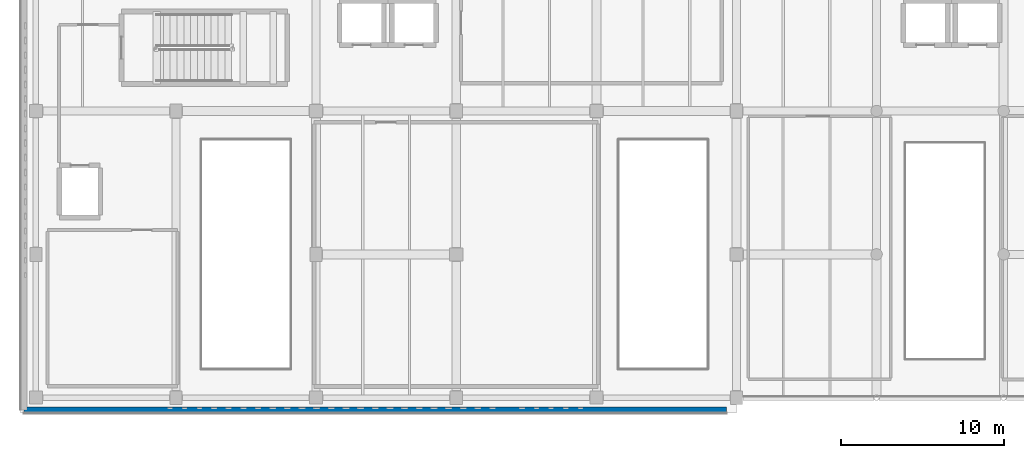
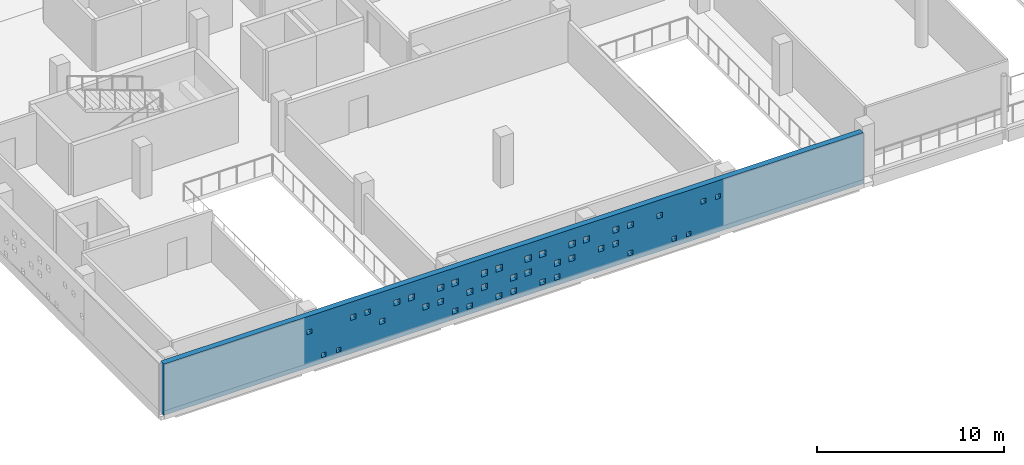
# One storey, part 54 of 75: 1 wall, 40 openings.
"""IFC4 building model written with IfcOpenShell, lengths in metres."""

import ifcopenshell
import ifcopenshell.guid

model = None  # the IFC model being written
_history = None  # IfcOwnerHistory: only IFC2X3 demands one
_inside = {}  # id of a spatial element -> (the spatial element, [elements in it])
_under = {}  # id of a project, library or spatial element -> (it, [spatial elements below it])
_declared = {}  # id of a project -> (the project, [libraries it declares])
_typed = {}  # id of a type object -> (the type object, [elements of that type])
_made_of = {}  # id of a material, layer set ... -> (it, [elements and type objects made of it])


def new_model(schema):
    """Start an empty IFC model of exactly this schema.

    Asked for "IFC4X3", IfcOpenShell would pick the latest addendum, in which some entities
    have other attributes; the version numbers below select the first issue.
    IFC2X3 requires an IfcOwnerHistory on every rooted entity: one is made here for all.
    """
    global model, _history
    if schema == "IFC4X3":
        model = ifcopenshell.file(schema_version=(4, 3, 0, 0))
    else:
        model = ifcopenshell.file(schema=schema)
    _inside.clear()
    _under.clear()
    _declared.clear()
    _typed.clear()
    _made_of.clear()
    _history = None
    if model.schema == "IFC2X3":
        org = make("IfcOrganization", Name="unknown")
        user = make(
            "IfcPersonAndOrganization",
            ThePerson=make("IfcPerson", FamilyName="unknown"),
            TheOrganization=org,
        )
        app = make(
            "IfcApplication",
            ApplicationDeveloper=org,
            Version="unknown",
            ApplicationFullName="unknown",
            ApplicationIdentifier="unknown",
        )
        _history = make(
            "IfcOwnerHistory",
            OwningUser=user,
            OwningApplication=app,
            ChangeAction="ADDED",
            CreationDate=0,
        )
    return model


def make(cls, **values):
    """One entity of the class cls with the attributes given. An attribute that is None is left unset."""
    return model.create_entity(
        cls, **{name: value for name, value in values.items() if value is not None}
    )


def rooted(cls, **values):
    """An entity with a GlobalId (a new one), such as an element, a storey or a relation."""
    return make(cls, GlobalId=ifcopenshell.guid.new(), OwnerHistory=_history, **values)


def si_unit(unit_type, name, prefix=None):
    """IfcSIUnit, for example si_unit("LENGTHUNIT", "METRE", prefix="MILLI")."""
    return make("IfcSIUnit", UnitType=unit_type, Prefix=prefix, Name=name)


def assignment(units):
    """IfcUnitAssignment: the units of a project."""
    return None if units is None else make("IfcUnitAssignment", Units=units)


def point(xyz):
    """IfcCartesianPoint."""
    return None if xyz is None else make("IfcCartesianPoint", Coordinates=xyz)


def direction(xyz):
    """IfcDirection."""
    return None if xyz is None else make("IfcDirection", DirectionRatios=xyz)


def frame(location, z_axis=None, x_axis=None):
    """IfcAxis2Placement3D, a coordinate frame: its origin and axes. An axis left out is left unset."""
    return make(
        "IfcAxis2Placement3D",
        Location=point(location),
        Axis=direction(z_axis),
        RefDirection=direction(x_axis),
    )


def frame_2d(location, x_axis=None):
    """IfcAxis2Placement2D, a coordinate frame in the plane: its origin and x axis."""
    return make(
        "IfcAxis2Placement2D", Location=point(location), RefDirection=direction(x_axis)
    )


def origin():
    """The frame at (0, 0, 0) with its axes left unset."""
    return frame((0.0, 0.0, 0.0))


def place(relative_to, where):
    """IfcLocalPlacement: puts the frame where relative to a parent placement (None: the world)."""
    return make(
        "IfcLocalPlacement", PlacementRelTo=relative_to, RelativePlacement=where
    )


def context(
    kind, dimensions, precision=None, world=None, true_north=None, identifier=None
):
    """IfcGeometricRepresentationContext, for example the 3D "Model" context."""
    return make(
        "IfcGeometricRepresentationContext",
        ContextIdentifier=identifier,
        ContextType=kind,
        CoordinateSpaceDimension=dimensions,
        Precision=precision,
        WorldCoordinateSystem=world,
        TrueNorth=true_north,
    )


def subcontext(parent, identifier, kind, view, scale=None):
    """IfcGeometricRepresentationSubContext, for example "Body" below "Model"."""
    return make(
        "IfcGeometricRepresentationSubContext",
        ContextIdentifier=identifier,
        ContextType=kind,
        ParentContext=parent,
        TargetScale=scale,
        TargetView=view,
    )


def project(units=None, contexts=None):
    """IfcProject with its units and contexts."""
    return rooted(
        "IfcProject",
        Name="project",
        RepresentationContexts=contexts,
        UnitsInContext=assignment(units),
    )


def spatial(cls, under=None, at=None, **own):
    """A site, building, storey or space (cls), placed at a placement, below another one or the project."""
    s = rooted(cls, ObjectPlacement=at, **own)
    if under is not None:
        _under.setdefault(under.id(), (under, []))[1].append(s)
    return s


def profile(cls, at=None, kind="AREA", **sizes):
    """A parametric profile (cls). Its sizes go by their IFC names, for example OverallWidth=200.0."""
    return make(cls, ProfileType=kind, Position=at, **sizes)


def rectangle(**sizes):
    """IfcRectangleProfileDef."""
    return profile("IfcRectangleProfileDef", **sizes)


def extrude(swept, where, along, depth):
    """IfcExtrudedAreaSolid: the profile swept, set in the frame where, extruded along a direction by depth."""
    return make(
        "IfcExtrudedAreaSolid",
        SweptArea=swept,
        Position=where,
        ExtrudedDirection=direction(along),
        Depth=depth,
    )


def shape(context_of_items, identifier, shape_type, items):
    """IfcShapeRepresentation: the items that make up one representation, for example the "Body"."""
    return make(
        "IfcShapeRepresentation",
        ContextOfItems=context_of_items,
        RepresentationIdentifier=identifier,
        RepresentationType=shape_type,
        Items=items,
    )


def material(Name=None, Category=None):
    """IfcMaterial."""
    return make("IfcMaterial", Name=Name, Category=Category)


def layer(
    of_material, thickness, ventilated=None, Name=None, Category=None, Priority=None
):
    """IfcMaterialLayer: one layer of a wall or slab, of a material (None: an air gap)."""
    return make(
        "IfcMaterialLayer",
        Material=of_material,
        LayerThickness=thickness,
        IsVentilated=ventilated,
        Name=Name,
        Category=Category,
        Priority=Priority,
    )


def layer_set(layers, Name=None):
    """IfcMaterialLayerSet."""
    return make("IfcMaterialLayerSet", MaterialLayers=layers, LayerSetName=Name)


def made_of(thing, what):
    """Note that an element or type object is made of a material, layer set ...; save() writes the relation."""
    if what is not None:
        _made_of.setdefault(what.id(), (what, []))[1].append(thing)
    return thing


def type_object(cls, material=None, **own):
    """A type object (cls), such as IfcWallType, which elements share."""
    return made_of(rooted(cls, **own), material)


def element(
    cls,
    number,
    at=None,
    inside=None,
    cuts=None,
    type_object=None,
    material=None,
    context=None,
    identifier="Body",
    shape_type=None,
    held_by="IfcProductDefinitionShape",
    body=None,
    shapes=None,
    **own,
):
    """One element of the class cls, such as IfcWall. Its Tag is "e" and its number.

    at: its placement. inside: the storey or other place that contains it. cuts: it is an
    opening in that element (IfcRelVoidsElement). A single representation is given by context,
    identifier, shape_type and body (its items); several are given by shapes. held_by: the class
    of the entity that holds the representations. save() writes the other relations.
    """
    e = rooted(cls, Tag="e%d" % number, ObjectPlacement=at, **own)
    if body is not None:
        shapes = [shape(context, identifier, shape_type, body)]
    if shapes is not None:
        e.Representation = make(held_by, Representations=shapes)
    if inside is not None:
        _inside.setdefault(inside.id(), (inside, []))[1].append(e)
    if cuts is not None:
        rooted(
            "IfcRelVoidsElement", RelatingBuildingElement=cuts, RelatedOpeningElement=e
        )
    if type_object is not None:
        _typed.setdefault(type_object.id(), (type_object, []))[1].append(e)
    return made_of(e, material)


def aggregate(whole, parts):
    """IfcRelAggregates: a whole, such as a stair, and the parts it consists of."""
    return rooted("IfcRelAggregates", RelatingObject=whole, RelatedObjects=parts)


def save(model, path):
    """Write the relations noted so far, then the file.

    IfcRelAggregates (storeys below a building ...), IfcRelContainedInSpatialStructure (elements
    in a storey), IfcRelDefinesByType, IfcRelAssociatesMaterial and IfcRelDeclares: one each for
    every whole, place, type object, material and project.
    """
    for whole, parts in _under.values():
        aggregate(whole, parts)
    for where, things in _inside.values():
        rooted(
            "IfcRelContainedInSpatialStructure",
            RelatedElements=things,
            RelatingStructure=where,
        )
    for kind, things in _typed.values():
        rooted("IfcRelDefinesByType", RelatedObjects=things, RelatingType=kind)
    for what, things in _made_of.values():
        rooted("IfcRelAssociatesMaterial", RelatedObjects=things, RelatingMaterial=what)
    for by, libraries in _declared.values():
        rooted("IfcRelDeclares", RelatingContext=by, RelatedDefinitions=libraries)
    model.write(path)


model = new_model("IFC4")

# Units and contexts
model_context = context("Model", 3, precision=1e-05, world=origin(), true_north=direction((0.0, 1.0)))
body_context = subcontext(model_context, "Body", "Model", "MODEL_VIEW")
ifc_project = project(units=[si_unit("LENGTHUNIT", "METRE"), si_unit("AREAUNIT", "SQUARE_METRE"), si_unit("VOLUMEUNIT", "CUBIC_METRE"), si_unit("PLANEANGLEUNIT", "RADIAN"), si_unit("MASSUNIT", "GRAM", prefix="KILO")], contexts=[model_context])

# Site, building, storey
site_placement = place(None, origin())
site = spatial("IfcSite", under=ifc_project, at=site_placement, CompositionType="ELEMENT")
building_placement = place(site_placement, origin())
building = spatial("IfcBuilding", under=site, at=building_placement, Name="Varnakota Cinema and Media Centre", CompositionType="ELEMENT")
storey_placement = place(building_placement, frame((0.0, 0.0, 8.39990234375)))
storey = spatial("IfcBuildingStorey", under=building, at=storey_placement, Name="L02", CompositionType="ELEMENT", Elevation=8.39990234375)

# Wall, openings
ifc_material = material(Name="Pale Tandur limestone cladding", Category="masonry")
ifc_layer = layer(ifc_material, 0.360107421875)
ifc_layer_set = layer_set([ifc_layer], Name="Pale Tandur limestone cladding")
wall_type = type_object("IfcWallType", Name="W-EXT-TANDUR-360", PredefinedType="SOLIDWALL", material=ifc_layer_set)
wall_placement = place(storey_placement, frame((42.39990234375, -0.739990234375, 0.0), z_axis=(0.0, 0.0, 1.0), x_axis=(-1.0, 0.0, 0.0)))
wall = element("IfcWall", 1, at=wall_placement, inside=storey, type_object=wall_type, Name="L02 V4 pale Tandur stone monolith wall V4-S", PredefinedType="SOLIDWALL", context=body_context, shape_type="SweptSolid", body=[
    extrude(rectangle(XDim=43.139892578125, YDim=0.360107421875, at=frame_2d((21.56982421875, 0.0))), origin(), (0.0, 0.0, 1.0), 3.340087890625),
])
opening_1_placement = place(wall_placement, frame((8.820068359375, 0.0, 2.159912109375)))
element("IfcOpeningElement", 2, at=opening_1_placement, cuts=wall, Name="Opening WP14", PredefinedType="OPENING", context=body_context, shape_type="SweptSolid", body=[
    extrude(rectangle(XDim=0.300048828125, YDim=0.300048828125, at=frame_2d((0.14990234375, 0.14990234375))), frame((0.0, 0.18017578125, 0.0), z_axis=(0.0, -1.0, 0.0), x_axis=(1.0, 0.0, 0.0)), (0.0, 0.0, 1.0), 0.360107421875),
])
opening_2_placement = place(wall_placement, frame((9.7099609375, 0.0, 2.159912109375)))
element("IfcOpeningElement", 3, at=opening_2_placement, cuts=wall, Name="Opening WP13", PredefinedType="OPENING", context=body_context, shape_type="SweptSolid", body=[
    extrude(rectangle(XDim=0.320068359375, YDim=0.320068359375, at=frame_2d((0.16015625, 0.16015625))), frame((0.0, 0.18017578125, 0.0), z_axis=(0.0, -1.0, 0.0), x_axis=(1.0, 0.0, 0.0)), (0.0, 0.0, 1.0), 0.360107421875),
])
opening_3_placement = place(wall_placement, frame((10.6298828125, 0.0, 0.360107421875)))
element("IfcOpeningElement", 4, at=opening_3_placement, cuts=wall, Name="Opening WP15", PredefinedType="OPENING", context=body_context, shape_type="SweptSolid", body=[
    extrude(rectangle(XDim=0.280029296875, YDim=0.280029296875, at=frame_2d((0.14013671875, 0.14013671875))), frame((0.0, 0.18017578125, 0.0), z_axis=(0.0, -1.0, 0.0), x_axis=(1.0, 0.0, 0.0)), (0.0, 0.0, 1.0), 0.360107421875),
])
opening_4_placement = place(wall_placement, frame((11.52001953125, 0.0, 0.360107421875)))
element("IfcOpeningElement", 5, at=opening_4_placement, cuts=wall, Name="Opening WP14", PredefinedType="OPENING", context=body_context, shape_type="SweptSolid", body=[
    extrude(rectangle(XDim=0.300048828125, YDim=0.300048828125, at=frame_2d((0.14990234375, 0.14990234375))), frame((0.0, 0.18017578125, 0.0), z_axis=(0.0, -1.0, 0.0), x_axis=(1.0, 0.0, 0.0)), (0.0, 0.0, 1.0), 0.360107421875),
])
opening_5_placement = place(wall_placement, frame((12.39990234375, 0.0, 2.159912109375)))
element("IfcOpeningElement", 6, at=opening_5_placement, cuts=wall, Name="Opening WP12", PredefinedType="OPENING", context=body_context, shape_type="SweptSolid", body=[
    extrude(rectangle(XDim=0.340087890625, YDim=0.340087890625, at=frame_2d((0.169921875, 0.169921875))), frame((0.0, 0.18017578125, 0.0), z_axis=(0.0, -1.0, 0.0), x_axis=(1.0, 0.0, 0.0)), (0.0, 0.0, 1.0), 0.360107421875),
])
opening_6_placement = place(wall_placement, frame((14.2099609375, 0.0, 0.360107421875)))
element("IfcOpeningElement", 7, at=opening_6_placement, cuts=wall, Name="Opening WP13", PredefinedType="OPENING", context=body_context, shape_type="SweptSolid", body=[
    extrude(rectangle(XDim=0.320068359375, YDim=0.320068359375, at=frame_2d((0.16015625, 0.16015625))), frame((0.0, 0.18017578125, 0.0), z_axis=(0.0, -1.0, 0.0), x_axis=(1.0, 0.0, 0.0)), (0.0, 0.0, 1.0), 0.360107421875),
])
opening_7_placement = place(wall_placement, frame((14.18994140625, 0.0, 2.159912109375)))
element("IfcOpeningElement", 8, at=opening_7_placement, cuts=wall, Name="Opening WP11", PredefinedType="OPENING", context=body_context, shape_type="SweptSolid", body=[
    extrude(rectangle(XDim=0.360107421875, YDim=0.360107421875, at=frame_2d((0.18017578125, 0.18017578125))), frame((0.0, 0.18017578125, 0.0), z_axis=(0.0, -1.0, 0.0), x_axis=(1.0, 0.0, 0.0)), (0.0, 0.0, 1.0), 0.360107421875),
])
opening_8_placement = place(wall_placement, frame((15.090087890625, 0.0, 1.260009765625)))
element("IfcOpeningElement", 9, at=opening_8_placement, cuts=wall, Name="Opening WP11", PredefinedType="OPENING", context=body_context, shape_type="SweptSolid", body=[
    extrude(rectangle(XDim=0.360107421875, YDim=0.360107421875, at=frame_2d((0.18017578125, 0.18017578125))), frame((0.0, 0.18017578125, 0.0), z_axis=(0.0, -1.0, 0.0), x_axis=(1.0, 0.0, 0.0)), (0.0, 0.0, 1.0), 0.360107421875),
])
opening_9_placement = place(wall_placement, frame((15.080078125, 0.0, 2.159912109375)))
element("IfcOpeningElement", 10, at=opening_9_placement, cuts=wall, Name="Opening WP10", PredefinedType="OPENING", context=body_context, shape_type="SweptSolid", body=[
    extrude(rectangle(XDim=0.3798828125, YDim=0.3798828125, at=frame_2d((0.18994140625, 0.18994140625))), frame((0.0, 0.18017578125, 0.0), z_axis=(0.0, -1.0, 0.0), x_axis=(1.0, 0.0, 0.0)), (0.0, 0.0, 1.0), 0.360107421875),
])
opening_10_placement = place(wall_placement, frame((15.989990234375, 0.0, 1.260009765625)))
element("IfcOpeningElement", 11, at=opening_10_placement, cuts=wall, Name="Opening WP11", PredefinedType="OPENING", context=body_context, shape_type="SweptSolid", body=[
    extrude(rectangle(XDim=0.360107421875, YDim=0.360107421875, at=frame_2d((0.18017578125, 0.18017578125))), frame((0.0, 0.18017578125, 0.0), z_axis=(0.0, -1.0, 0.0), x_axis=(1.0, 0.0, 0.0)), (0.0, 0.0, 1.0), 0.360107421875),
])
opening_11_placement = place(wall_placement, frame((16.8798828125, 0.0, 2.159912109375)))
element("IfcOpeningElement", 12, at=opening_11_placement, cuts=wall, Name="Opening WP10", PredefinedType="OPENING", context=body_context, shape_type="SweptSolid", body=[
    extrude(rectangle(XDim=0.3798828125, YDim=0.3798828125, at=frame_2d((0.18994140625, 0.18994140625))), frame((0.0, 0.18017578125, 0.0), z_axis=(0.0, -1.0, 0.0), x_axis=(1.0, 0.0, 0.0)), (0.0, 0.0, 1.0), 0.360107421875),
])
opening_12_placement = place(wall_placement, frame((17.7900390625, 0.0, 1.260009765625)))
element("IfcOpeningElement", 13, at=opening_12_placement, cuts=wall, Name="Opening WP11", PredefinedType="OPENING", context=body_context, shape_type="SweptSolid", body=[
    extrude(rectangle(XDim=0.360107421875, YDim=0.360107421875, at=frame_2d((0.18017578125, 0.18017578125))), frame((0.0, 0.18017578125, 0.0), z_axis=(0.0, -1.0, 0.0), x_axis=(1.0, 0.0, 0.0)), (0.0, 0.0, 1.0), 0.360107421875),
])
opening_13_placement = place(wall_placement, frame((17.77001953125, 0.0, 2.159912109375)))
element("IfcOpeningElement", 14, at=opening_13_placement, cuts=wall, Name="Opening WP09", PredefinedType="OPENING", context=body_context, shape_type="SweptSolid", body=[
    extrude(rectangle(XDim=0.39990234375, YDim=0.39990234375, at=frame_2d((0.199951171875, 0.199951171875))), frame((0.0, 0.18017578125, 0.0), z_axis=(0.0, -1.0, 0.0), x_axis=(1.0, 0.0, 0.0)), (0.0, 0.0, 1.0), 0.360107421875),
])
opening_14_placement = place(wall_placement, frame((18.699951171875, 0.0, 0.360107421875)))
element("IfcOpeningElement", 15, at=opening_14_placement, cuts=wall, Name="Opening WP12", PredefinedType="OPENING", context=body_context, shape_type="SweptSolid", body=[
    extrude(rectangle(XDim=0.340087890625, YDim=0.340087890625, at=frame_2d((0.169921875, 0.169921875))), frame((0.0, 0.18017578125, 0.0), z_axis=(0.0, -1.0, 0.0), x_axis=(1.0, 0.0, 0.0)), (0.0, 0.0, 1.0), 0.360107421875),
])
opening_15_placement = place(wall_placement, frame((18.679931640625, 0.0, 1.260009765625)))
element("IfcOpeningElement", 16, at=opening_15_placement, cuts=wall, Name="Opening WP10", PredefinedType="OPENING", context=body_context, shape_type="SweptSolid", body=[
    extrude(rectangle(XDim=0.3798828125, YDim=0.3798828125, at=frame_2d((0.18994140625, 0.18994140625))), frame((0.0, 0.18017578125, 0.0), z_axis=(0.0, -1.0, 0.0), x_axis=(1.0, 0.0, 0.0)), (0.0, 0.0, 1.0), 0.360107421875),
])
opening_16_placement = place(wall_placement, frame((19.60009765625, 0.0, 0.360107421875)))
element("IfcOpeningElement", 17, at=opening_16_placement, cuts=wall, Name="Opening WP12", PredefinedType="OPENING", context=body_context, shape_type="SweptSolid", body=[
    extrude(rectangle(XDim=0.340087890625, YDim=0.340087890625, at=frame_2d((0.169921875, 0.169921875))), frame((0.0, 0.18017578125, 0.0), z_axis=(0.0, -1.0, 0.0), x_axis=(1.0, 0.0, 0.0)), (0.0, 0.0, 1.0), 0.360107421875),
])
opening_17_placement = place(wall_placement, frame((19.570068359375, 0.0, 2.159912109375)))
element("IfcOpeningElement", 18, at=opening_17_placement, cuts=wall, Name="Opening WP09", PredefinedType="OPENING", context=body_context, shape_type="SweptSolid", body=[
    extrude(rectangle(XDim=0.39990234375, YDim=0.39990234375, at=frame_2d((0.199951171875, 0.199951171875))), frame((0.0, 0.18017578125, 0.0), z_axis=(0.0, -1.0, 0.0), x_axis=(1.0, 0.0, 0.0)), (0.0, 0.0, 1.0), 0.360107421875),
])
opening_18_placement = place(wall_placement, frame((20.47998046875, 0.0, 1.260009765625)))
element("IfcOpeningElement", 19, at=opening_18_placement, cuts=wall, Name="Opening WP10", PredefinedType="OPENING", context=body_context, shape_type="SweptSolid", body=[
    extrude(rectangle(XDim=0.3798828125, YDim=0.3798828125, at=frame_2d((0.18994140625, 0.18994140625))), frame((0.0, 0.18017578125, 0.0), z_axis=(0.0, -1.0, 0.0), x_axis=(1.0, 0.0, 0.0)), (0.0, 0.0, 1.0), 0.360107421875),
])
opening_19_placement = place(wall_placement, frame((20.469970703125, 0.0, 2.159912109375)))
element("IfcOpeningElement", 20, at=opening_19_placement, cuts=wall, Name="Opening WP09", PredefinedType="OPENING", context=body_context, shape_type="SweptSolid", body=[
    extrude(rectangle(XDim=0.39990234375, YDim=0.39990234375, at=frame_2d((0.199951171875, 0.199951171875))), frame((0.0, 0.18017578125, 0.0), z_axis=(0.0, -1.0, 0.0), x_axis=(1.0, 0.0, 0.0)), (0.0, 0.0, 1.0), 0.360107421875),
])
opening_20_placement = place(wall_placement, frame((21.389892578125, 0.0, 0.360107421875)))
element("IfcOpeningElement", 21, at=opening_20_placement, cuts=wall, Name="Opening WP11", PredefinedType="OPENING", context=body_context, shape_type="SweptSolid", body=[
    extrude(rectangle(XDim=0.360107421875, YDim=0.360107421875, at=frame_2d((0.18017578125, 0.18017578125))), frame((0.0, 0.18017578125, 0.0), z_axis=(0.0, -1.0, 0.0), x_axis=(1.0, 0.0, 0.0)), (0.0, 0.0, 1.0), 0.360107421875),
])
opening_21_placement = place(wall_placement, frame((21.3798828125, 0.0, 1.260009765625)))
element("IfcOpeningElement", 22, at=opening_21_placement, cuts=wall, Name="Opening WP10", PredefinedType="OPENING", context=body_context, shape_type="SweptSolid", body=[
    extrude(rectangle(XDim=0.3798828125, YDim=0.3798828125, at=frame_2d((0.18994140625, 0.18994140625))), frame((0.0, 0.18017578125, 0.0), z_axis=(0.0, -1.0, 0.0), x_axis=(1.0, 0.0, 0.0)), (0.0, 0.0, 1.0), 0.360107421875),
])
opening_22_placement = place(wall_placement, frame((22.2900390625, 0.0, 0.360107421875)))
element("IfcOpeningElement", 23, at=opening_22_placement, cuts=wall, Name="Opening WP11", PredefinedType="OPENING", context=body_context, shape_type="SweptSolid", body=[
    extrude(rectangle(XDim=0.360107421875, YDim=0.360107421875, at=frame_2d((0.18017578125, 0.18017578125))), frame((0.0, 0.18017578125, 0.0), z_axis=(0.0, -1.0, 0.0), x_axis=(1.0, 0.0, 0.0)), (0.0, 0.0, 1.0), 0.360107421875),
])
opening_23_placement = place(wall_placement, frame((22.27001953125, 0.0, 2.159912109375)))
element("IfcOpeningElement", 24, at=opening_23_placement, cuts=wall, Name="Opening WP09", PredefinedType="OPENING", context=body_context, shape_type="SweptSolid", body=[
    extrude(rectangle(XDim=0.39990234375, YDim=0.39990234375, at=frame_2d((0.199951171875, 0.199951171875))), frame((0.0, 0.18017578125, 0.0), z_axis=(0.0, -1.0, 0.0), x_axis=(1.0, 0.0, 0.0)), (0.0, 0.0, 1.0), 0.360107421875),
])
opening_24_placement = place(wall_placement, frame((23.179931640625, 0.0, 1.260009765625)))
element("IfcOpeningElement", 25, at=opening_24_placement, cuts=wall, Name="Opening WP10", PredefinedType="OPENING", context=body_context, shape_type="SweptSolid", body=[
    extrude(rectangle(XDim=0.3798828125, YDim=0.3798828125, at=frame_2d((0.18994140625, 0.18994140625))), frame((0.0, 0.18017578125, 0.0), z_axis=(0.0, -1.0, 0.0), x_axis=(1.0, 0.0, 0.0)), (0.0, 0.0, 1.0), 0.360107421875),
])
opening_25_placement = place(wall_placement, frame((23.169921875, 0.0, 2.159912109375)))
element("IfcOpeningElement", 26, at=opening_25_placement, cuts=wall, Name="Opening WP09", PredefinedType="OPENING", context=body_context, shape_type="SweptSolid", body=[
    extrude(rectangle(XDim=0.39990234375, YDim=0.39990234375, at=frame_2d((0.199951171875, 0.199951171875))), frame((0.0, 0.18017578125, 0.0), z_axis=(0.0, -1.0, 0.0), x_axis=(1.0, 0.0, 0.0)), (0.0, 0.0, 1.0), 0.360107421875),
])
opening_26_placement = place(wall_placement, frame((24.10009765625, 0.0, 0.360107421875)))
element("IfcOpeningElement", 27, at=opening_26_placement, cuts=wall, Name="Opening WP12", PredefinedType="OPENING", context=body_context, shape_type="SweptSolid", body=[
    extrude(rectangle(XDim=0.340087890625, YDim=0.340087890625, at=frame_2d((0.169921875, 0.169921875))), frame((0.0, 0.18017578125, 0.0), z_axis=(0.0, -1.0, 0.0), x_axis=(1.0, 0.0, 0.0)), (0.0, 0.0, 1.0), 0.360107421875),
])
opening_27_placement = place(wall_placement, frame((24.080078125, 0.0, 1.260009765625)))
element("IfcOpeningElement", 28, at=opening_27_placement, cuts=wall, Name="Opening WP10", PredefinedType="OPENING", context=body_context, shape_type="SweptSolid", body=[
    extrude(rectangle(XDim=0.3798828125, YDim=0.3798828125, at=frame_2d((0.18994140625, 0.18994140625))), frame((0.0, 0.18017578125, 0.0), z_axis=(0.0, -1.0, 0.0), x_axis=(1.0, 0.0, 0.0)), (0.0, 0.0, 1.0), 0.360107421875),
])
opening_28_placement = place(wall_placement, frame((25.0, 0.0, 0.360107421875)))
element("IfcOpeningElement", 29, at=opening_28_placement, cuts=wall, Name="Opening WP12", PredefinedType="OPENING", context=body_context, shape_type="SweptSolid", body=[
    extrude(rectangle(XDim=0.340087890625, YDim=0.340087890625, at=frame_2d((0.169921875, 0.169921875))), frame((0.0, 0.18017578125, 0.0), z_axis=(0.0, -1.0, 0.0), x_axis=(1.0, 0.0, 0.0)), (0.0, 0.0, 1.0), 0.360107421875),
])
opening_29_placement = place(wall_placement, frame((24.969970703125, 0.0, 2.159912109375)))
element("IfcOpeningElement", 30, at=opening_29_placement, cuts=wall, Name="Opening WP09", PredefinedType="OPENING", context=body_context, shape_type="SweptSolid", body=[
    extrude(rectangle(XDim=0.39990234375, YDim=0.39990234375, at=frame_2d((0.199951171875, 0.199951171875))), frame((0.0, 0.18017578125, 0.0), z_axis=(0.0, -1.0, 0.0), x_axis=(1.0, 0.0, 0.0)), (0.0, 0.0, 1.0), 0.360107421875),
])
opening_30_placement = place(wall_placement, frame((25.889892578125, 0.0, 1.260009765625)))
element("IfcOpeningElement", 31, at=opening_30_placement, cuts=wall, Name="Opening WP11", PredefinedType="OPENING", context=body_context, shape_type="SweptSolid", body=[
    extrude(rectangle(XDim=0.360107421875, YDim=0.360107421875, at=frame_2d((0.18017578125, 0.18017578125))), frame((0.0, 0.18017578125, 0.0), z_axis=(0.0, -1.0, 0.0), x_axis=(1.0, 0.0, 0.0)), (0.0, 0.0, 1.0), 0.360107421875),
])
opening_31_placement = place(wall_placement, frame((25.8798828125, 0.0, 2.159912109375)))
element("IfcOpeningElement", 32, at=opening_31_placement, cuts=wall, Name="Opening WP10", PredefinedType="OPENING", context=body_context, shape_type="SweptSolid", body=[
    extrude(rectangle(XDim=0.3798828125, YDim=0.3798828125, at=frame_2d((0.18994140625, 0.18994140625))), frame((0.0, 0.18017578125, 0.0), z_axis=(0.0, -1.0, 0.0), x_axis=(1.0, 0.0, 0.0)), (0.0, 0.0, 1.0), 0.360107421875),
])
opening_32_placement = place(wall_placement, frame((26.7900390625, 0.0, 1.260009765625)))
element("IfcOpeningElement", 33, at=opening_32_placement, cuts=wall, Name="Opening WP11", PredefinedType="OPENING", context=body_context, shape_type="SweptSolid", body=[
    extrude(rectangle(XDim=0.360107421875, YDim=0.360107421875, at=frame_2d((0.18017578125, 0.18017578125))), frame((0.0, 0.18017578125, 0.0), z_axis=(0.0, -1.0, 0.0), x_axis=(1.0, 0.0, 0.0)), (0.0, 0.0, 1.0), 0.360107421875),
])
opening_33_placement = place(wall_placement, frame((27.679931640625, 0.0, 2.159912109375)))
element("IfcOpeningElement", 34, at=opening_33_placement, cuts=wall, Name="Opening WP10", PredefinedType="OPENING", context=body_context, shape_type="SweptSolid", body=[
    extrude(rectangle(XDim=0.3798828125, YDim=0.3798828125, at=frame_2d((0.18994140625, 0.18994140625))), frame((0.0, 0.18017578125, 0.0), z_axis=(0.0, -1.0, 0.0), x_axis=(1.0, 0.0, 0.0)), (0.0, 0.0, 1.0), 0.360107421875),
])
opening_34_placement = place(wall_placement, frame((28.590087890625, 0.0, 2.159912109375)))
element("IfcOpeningElement", 35, at=opening_34_placement, cuts=wall, Name="Opening WP11", PredefinedType="OPENING", context=body_context, shape_type="SweptSolid", body=[
    extrude(rectangle(XDim=0.360107421875, YDim=0.360107421875, at=frame_2d((0.18017578125, 0.18017578125))), frame((0.0, 0.18017578125, 0.0), z_axis=(0.0, -1.0, 0.0), x_axis=(1.0, 0.0, 0.0)), (0.0, 0.0, 1.0), 0.360107421875),
])
opening_35_placement = place(wall_placement, frame((29.5, 0.0, 1.260009765625)))
element("IfcOpeningElement", 36, at=opening_35_placement, cuts=wall, Name="Opening WP12", PredefinedType="OPENING", context=body_context, shape_type="SweptSolid", body=[
    extrude(rectangle(XDim=0.340087890625, YDim=0.340087890625, at=frame_2d((0.169921875, 0.169921875))), frame((0.0, 0.18017578125, 0.0), z_axis=(0.0, -1.0, 0.0), x_axis=(1.0, 0.0, 0.0)), (0.0, 0.0, 1.0), 0.360107421875),
])
opening_36_placement = place(wall_placement, frame((30.39990234375, 0.0, 2.159912109375)))
element("IfcOpeningElement", 37, at=opening_36_placement, cuts=wall, Name="Opening WP12", PredefinedType="OPENING", context=body_context, shape_type="SweptSolid", body=[
    extrude(rectangle(XDim=0.340087890625, YDim=0.340087890625, at=frame_2d((0.169921875, 0.169921875))), frame((0.0, 0.18017578125, 0.0), z_axis=(0.0, -1.0, 0.0), x_axis=(1.0, 0.0, 0.0)), (0.0, 0.0, 1.0), 0.360107421875),
])
opening_37_placement = place(wall_placement, frame((31.300048828125, 0.0, 2.159912109375)))
element("IfcOpeningElement", 38, at=opening_37_placement, cuts=wall, Name="Opening WP12", PredefinedType="OPENING", context=body_context, shape_type="SweptSolid", body=[
    extrude(rectangle(XDim=0.340087890625, YDim=0.340087890625, at=frame_2d((0.169921875, 0.169921875))), frame((0.0, 0.18017578125, 0.0), z_axis=(0.0, -1.0, 0.0), x_axis=(1.0, 0.0, 0.0)), (0.0, 0.0, 1.0), 0.360107421875),
])
opening_38_placement = place(wall_placement, frame((32.22998046875, 0.0, 0.360107421875)))
element("IfcOpeningElement", 39, at=opening_38_placement, cuts=wall, Name="Opening WP15", PredefinedType="OPENING", context=body_context, shape_type="SweptSolid", body=[
    extrude(rectangle(XDim=0.280029296875, YDim=0.280029296875, at=frame_2d((0.14013671875, 0.14013671875))), frame((0.0, 0.18017578125, 0.0), z_axis=(0.0, -1.0, 0.0), x_axis=(1.0, 0.0, 0.0)), (0.0, 0.0, 1.0), 0.360107421875),
])
opening_39_placement = place(wall_placement, frame((33.1298828125, 0.0, 0.360107421875)))
element("IfcOpeningElement", 40, at=opening_39_placement, cuts=wall, Name="Opening WP15", PredefinedType="OPENING", context=body_context, shape_type="SweptSolid", body=[
    extrude(rectangle(XDim=0.280029296875, YDim=0.280029296875, at=frame_2d((0.14013671875, 0.14013671875))), frame((0.0, 0.18017578125, 0.0), z_axis=(0.0, -1.0, 0.0), x_axis=(1.0, 0.0, 0.0)), (0.0, 0.0, 1.0), 0.360107421875),
])
opening_40_placement = place(wall_placement, frame((34.02001953125, 0.0, 2.159912109375)))
element("IfcOpeningElement", 41, at=opening_40_placement, cuts=wall, Name="Opening WP14", PredefinedType="OPENING", context=body_context, shape_type="SweptSolid", body=[
    extrude(rectangle(XDim=0.300048828125, YDim=0.300048828125, at=frame_2d((0.14990234375, 0.14990234375))), frame((0.0, 0.18017578125, 0.0), z_axis=(0.0, -1.0, 0.0), x_axis=(1.0, 0.0, 0.0)), (0.0, 0.0, 1.0), 0.360107421875),
])

save(model, "model.ifc")
